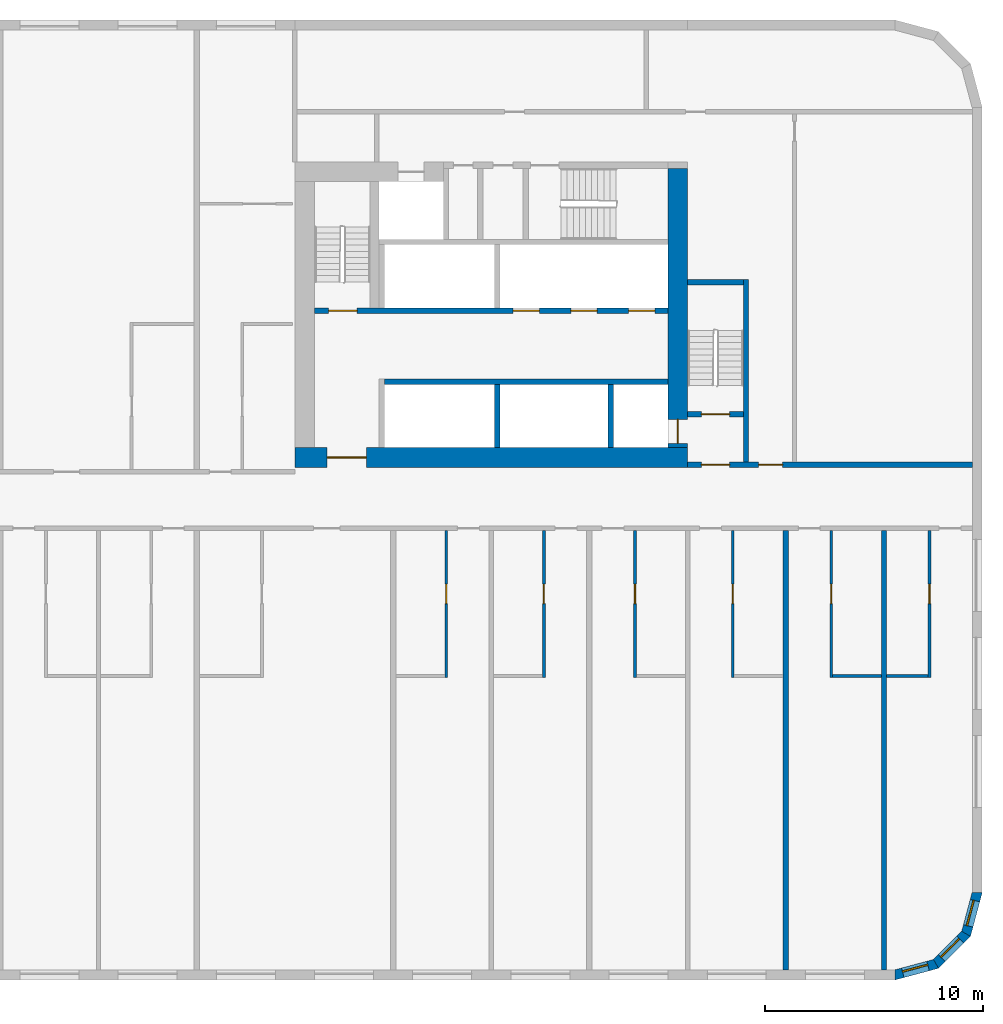
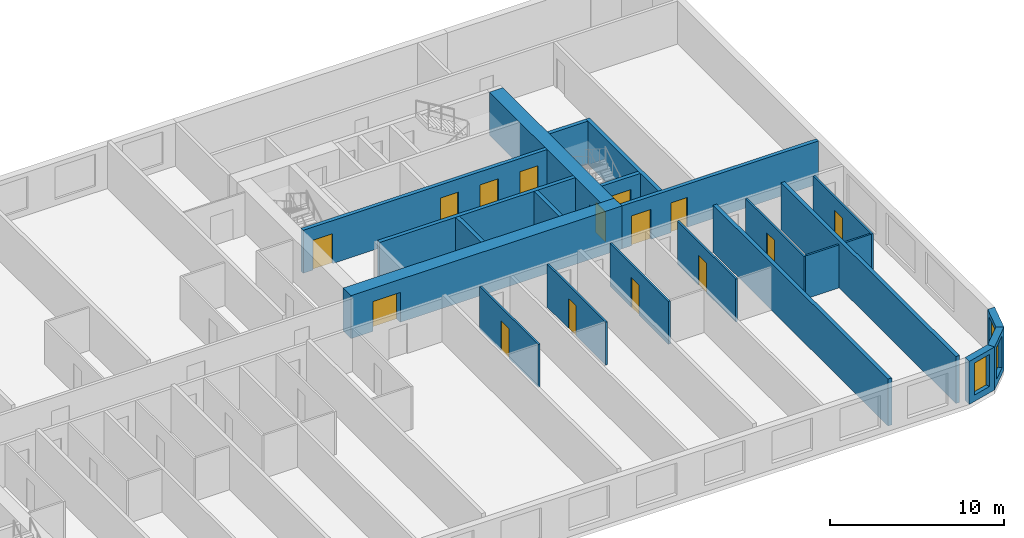
# One storey, part 7 of 12: 23 walls, 15 doors, 3 windows, 18 openings.
"""IFC4 building model written with IfcOpenShell, lengths in metres."""

import ifcopenshell
import ifcopenshell.guid

model = None  # the IFC model being written
_history = None  # IfcOwnerHistory: only IFC2X3 demands one
_inside = {}  # id of a spatial element -> (the spatial element, [elements in it])
_under = {}  # id of a project, library or spatial element -> (it, [spatial elements below it])
_declared = {}  # id of a project -> (the project, [libraries it declares])
_typed = {}  # id of a type object -> (the type object, [elements of that type])
_made_of = {}  # id of a material, layer set ... -> (it, [elements and type objects made of it])


def new_model(schema):
    """Start an empty IFC model of exactly this schema.

    Asked for "IFC4X3", IfcOpenShell would pick the latest addendum, in which some entities
    have other attributes; the version numbers below select the first issue.
    IFC2X3 requires an IfcOwnerHistory on every rooted entity: one is made here for all.
    """
    global model, _history
    if schema == "IFC4X3":
        model = ifcopenshell.file(schema_version=(4, 3, 0, 0))
    else:
        model = ifcopenshell.file(schema=schema)
    _inside.clear()
    _under.clear()
    _declared.clear()
    _typed.clear()
    _made_of.clear()
    _history = None
    if model.schema == "IFC2X3":
        org = make("IfcOrganization", Name="unknown")
        user = make(
            "IfcPersonAndOrganization",
            ThePerson=make("IfcPerson", FamilyName="unknown"),
            TheOrganization=org,
        )
        app = make(
            "IfcApplication",
            ApplicationDeveloper=org,
            Version="unknown",
            ApplicationFullName="unknown",
            ApplicationIdentifier="unknown",
        )
        _history = make(
            "IfcOwnerHistory",
            OwningUser=user,
            OwningApplication=app,
            ChangeAction="ADDED",
            CreationDate=0,
        )
    return model


def make(cls, **values):
    """One entity of the class cls with the attributes given. An attribute that is None is left unset."""
    return model.create_entity(
        cls, **{name: value for name, value in values.items() if value is not None}
    )


def rooted(cls, **values):
    """An entity with a GlobalId (a new one), such as an element, a storey or a relation."""
    return make(cls, GlobalId=ifcopenshell.guid.new(), OwnerHistory=_history, **values)


def si_unit(unit_type, name, prefix=None):
    """IfcSIUnit, for example si_unit("LENGTHUNIT", "METRE", prefix="MILLI")."""
    return make("IfcSIUnit", UnitType=unit_type, Prefix=prefix, Name=name)


def assignment(units):
    """IfcUnitAssignment: the units of a project."""
    return None if units is None else make("IfcUnitAssignment", Units=units)


def point(xyz):
    """IfcCartesianPoint."""
    return None if xyz is None else make("IfcCartesianPoint", Coordinates=xyz)


def direction(xyz):
    """IfcDirection."""
    return None if xyz is None else make("IfcDirection", DirectionRatios=xyz)


def frame(location, z_axis=None, x_axis=None):
    """IfcAxis2Placement3D, a coordinate frame: its origin and axes. An axis left out is left unset."""
    return make(
        "IfcAxis2Placement3D",
        Location=point(location),
        Axis=direction(z_axis),
        RefDirection=direction(x_axis),
    )


def frame_2d(location, x_axis=None):
    """IfcAxis2Placement2D, a coordinate frame in the plane: its origin and x axis."""
    return make(
        "IfcAxis2Placement2D", Location=point(location), RefDirection=direction(x_axis)
    )


def origin():
    """The frame at (0, 0, 0) with its axes left unset."""
    return frame((0.0, 0.0, 0.0))


def place(relative_to, where):
    """IfcLocalPlacement: puts the frame where relative to a parent placement (None: the world)."""
    return make(
        "IfcLocalPlacement", PlacementRelTo=relative_to, RelativePlacement=where
    )


def context(
    kind, dimensions, precision=None, world=None, true_north=None, identifier=None
):
    """IfcGeometricRepresentationContext, for example the 3D "Model" context."""
    return make(
        "IfcGeometricRepresentationContext",
        ContextIdentifier=identifier,
        ContextType=kind,
        CoordinateSpaceDimension=dimensions,
        Precision=precision,
        WorldCoordinateSystem=world,
        TrueNorth=true_north,
    )


def subcontext(parent, identifier, kind, view, scale=None):
    """IfcGeometricRepresentationSubContext, for example "Body" below "Model"."""
    return make(
        "IfcGeometricRepresentationSubContext",
        ContextIdentifier=identifier,
        ContextType=kind,
        ParentContext=parent,
        TargetScale=scale,
        TargetView=view,
    )


def project(units=None, contexts=None):
    """IfcProject with its units and contexts."""
    return rooted(
        "IfcProject",
        Name="project",
        RepresentationContexts=contexts,
        UnitsInContext=assignment(units),
    )


def spatial(cls, under=None, at=None, **own):
    """A site, building, storey or space (cls), placed at a placement, below another one or the project."""
    s = rooted(cls, ObjectPlacement=at, **own)
    if under is not None:
        _under.setdefault(under.id(), (under, []))[1].append(s)
    return s


def polyline(points):
    """IfcPolyline through the points."""
    return make("IfcPolyline", Points=[point(p) for p in points])


def profile(cls, at=None, kind="AREA", **sizes):
    """A parametric profile (cls). Its sizes go by their IFC names, for example OverallWidth=200.0."""
    return make(cls, ProfileType=kind, Position=at, **sizes)


def rectangle(**sizes):
    """IfcRectangleProfileDef."""
    return profile("IfcRectangleProfileDef", **sizes)


def outline(outer, holes=None, kind="AREA"):
    """IfcArbitraryClosedProfileDef: a profile drawn as a closed curve; with holes, ...WithVoids."""
    if holes is None:
        return make("IfcArbitraryClosedProfileDef", ProfileType=kind, OuterCurve=outer)
    return make(
        "IfcArbitraryProfileDefWithVoids",
        ProfileType=kind,
        OuterCurve=outer,
        InnerCurves=holes,
    )


def extrude(swept, where, along, depth):
    """IfcExtrudedAreaSolid: the profile swept, set in the frame where, extruded along a direction by depth."""
    return make(
        "IfcExtrudedAreaSolid",
        SweptArea=swept,
        Position=where,
        ExtrudedDirection=direction(along),
        Depth=depth,
    )


def shape(context_of_items, identifier, shape_type, items):
    """IfcShapeRepresentation: the items that make up one representation, for example the "Body"."""
    return make(
        "IfcShapeRepresentation",
        ContextOfItems=context_of_items,
        RepresentationIdentifier=identifier,
        RepresentationType=shape_type,
        Items=items,
    )


def material(Name=None, Category=None):
    """IfcMaterial."""
    return make("IfcMaterial", Name=Name, Category=Category)


def layer(
    of_material, thickness, ventilated=None, Name=None, Category=None, Priority=None
):
    """IfcMaterialLayer: one layer of a wall or slab, of a material (None: an air gap)."""
    return make(
        "IfcMaterialLayer",
        Material=of_material,
        LayerThickness=thickness,
        IsVentilated=ventilated,
        Name=Name,
        Category=Category,
        Priority=Priority,
    )


def layer_set(layers, Name=None):
    """IfcMaterialLayerSet."""
    return make("IfcMaterialLayerSet", MaterialLayers=layers, LayerSetName=Name)


def made_of(thing, what):
    """Note that an element or type object is made of a material, layer set ...; save() writes the relation."""
    if what is not None:
        _made_of.setdefault(what.id(), (what, []))[1].append(thing)
    return thing


def type_object(cls, material=None, **own):
    """A type object (cls), such as IfcWallType, which elements share."""
    return made_of(rooted(cls, **own), material)


def element(
    cls,
    number,
    at=None,
    inside=None,
    cuts=None,
    type_object=None,
    material=None,
    context=None,
    identifier="Body",
    shape_type=None,
    held_by="IfcProductDefinitionShape",
    body=None,
    shapes=None,
    **own,
):
    """One element of the class cls, such as IfcWall. Its Tag is "e" and its number.

    at: its placement. inside: the storey or other place that contains it. cuts: it is an
    opening in that element (IfcRelVoidsElement). A single representation is given by context,
    identifier, shape_type and body (its items); several are given by shapes. held_by: the class
    of the entity that holds the representations. save() writes the other relations.
    """
    e = rooted(cls, Tag="e%d" % number, ObjectPlacement=at, **own)
    if body is not None:
        shapes = [shape(context, identifier, shape_type, body)]
    if shapes is not None:
        e.Representation = make(held_by, Representations=shapes)
    if inside is not None:
        _inside.setdefault(inside.id(), (inside, []))[1].append(e)
    if cuts is not None:
        rooted(
            "IfcRelVoidsElement", RelatingBuildingElement=cuts, RelatedOpeningElement=e
        )
    if type_object is not None:
        _typed.setdefault(type_object.id(), (type_object, []))[1].append(e)
    return made_of(e, material)


def fill(opening, filler):
    """IfcRelFillsElement: the door or window that sits in an opening."""
    return rooted(
        "IfcRelFillsElement",
        RelatingOpeningElement=opening,
        RelatedBuildingElement=filler,
    )


def aggregate(whole, parts):
    """IfcRelAggregates: a whole, such as a stair, and the parts it consists of."""
    return rooted("IfcRelAggregates", RelatingObject=whole, RelatedObjects=parts)


def save(model, path):
    """Write the relations noted so far, then the file.

    IfcRelAggregates (storeys below a building ...), IfcRelContainedInSpatialStructure (elements
    in a storey), IfcRelDefinesByType, IfcRelAssociatesMaterial and IfcRelDeclares: one each for
    every whole, place, type object, material and project.
    """
    for whole, parts in _under.values():
        aggregate(whole, parts)
    for where, things in _inside.values():
        rooted(
            "IfcRelContainedInSpatialStructure",
            RelatedElements=things,
            RelatingStructure=where,
        )
    for kind, things in _typed.values():
        rooted("IfcRelDefinesByType", RelatedObjects=things, RelatingType=kind)
    for what, things in _made_of.values():
        rooted("IfcRelAssociatesMaterial", RelatedObjects=things, RelatingMaterial=what)
    for by, libraries in _declared.values():
        rooted("IfcRelDeclares", RelatingContext=by, RelatedDefinitions=libraries)
    model.write(path)


model = new_model("IFC4")

# Units and contexts
model_context = context("Model", 3, precision=1e-05, world=origin(), true_north=direction((0.0, 1.0)))
body_context = subcontext(model_context, "Body", "Model", "MODEL_VIEW")
ifc_project = project(units=[si_unit("LENGTHUNIT", "METRE"), si_unit("AREAUNIT", "SQUARE_METRE"), si_unit("VOLUMEUNIT", "CUBIC_METRE"), si_unit("PLANEANGLEUNIT", "RADIAN"), si_unit("MASSUNIT", "GRAM", prefix="KILO")], contexts=[model_context])

# Site, building, storey
site_placement = place(None, origin())
site = spatial("IfcSite", under=ifc_project, at=site_placement, CompositionType="ELEMENT")
building_placement = place(site_placement, origin())
building = spatial("IfcBuilding", under=site, at=building_placement, Name="Kajstack Hotel Tower", CompositionType="ELEMENT")
storey_placement = place(building_placement, frame((0.0, 0.0, 86.39990234375)))
storey = spatial("IfcBuildingStorey", under=building, at=storey_placement, Name="L17", CompositionType="ELEMENT", Elevation=86.39990234375)

# Wall, opening, door
ifc_material_1 = material(Name="Concrete C60/75", Category="concrete")
ifc_layer_1 = layer(ifc_material_1, 0.89990234375)
ifc_layer_set_1 = layer_set([ifc_layer_1], Name="Core wall 900")
wall_type_1 = type_object("IfcWallType", Name="Core wall 900", PredefinedType="SHEAR", material=ifc_layer_set_1)
wall_1_placement = place(storey_placement, frame((13.5, 1.949951171875, 0.0), z_axis=(0.0, 0.0, 1.0), x_axis=(1.0, 0.0, 0.0)))
wall_1 = element("IfcWall", 1, at=wall_1_placement, inside=storey, type_object=wall_type_1, Name="Core wall E RN", PredefinedType="SHEAR", context=body_context, shape_type="SweptSolid", body=[
    extrude(rectangle(XDim=18.0, YDim=0.89990234375, at=frame_2d((9.0, 0.0))), origin(), (0.0, 0.0, 1.0), 3.02001953125),
])
opening_1_placement = place(wall_1_placement, frame((1.47509765625, 0.0, 0.0)))
opening_1 = element("IfcOpeningElement", 2, at=opening_1_placement, cuts=wall_1, Name="Opening 17E06", PredefinedType="OPENING", context=body_context, shape_type="SweptSolid", body=[
    extrude(rectangle(XDim=1.800048828125, YDim=2.10009765625, at=frame_2d((0.89990234375, 1.050048828125))), frame((0.0, 0.4599609375, 0.0), z_axis=(0.0, -1.0, 0.0), x_axis=(1.0, 0.0, 0.0)), (0.0, 0.0, 1.0), 0.919921875),
])
ifc_material_2 = material(Name="Glazed steel frame, fire-rated glass", Category="steel")
door_type_1 = type_object("IfcDoorType", Name="Lobby double door 1800", OperationType="DOUBLE_DOOR_DOUBLE_SWING", PredefinedType="DOOR", material=ifc_material_2)
door_1_placement = place(opening_1_placement, origin())
door_1 = element("IfcDoor", 3, at=door_1_placement, inside=storey, type_object=door_type_1, Name="Door 17E06", OperationType="DOUBLE_DOOR_DOUBLE_SWING", OverallHeight=2.10009765625, OverallWidth=1.800048828125, PredefinedType="DOOR", context=body_context, shape_type="SweptSolid", body=[
    extrude(rectangle(XDim=1.800048828125, YDim=2.10009765625, at=frame_2d((0.89990234375, 1.050048828125))), frame((0.0, 0.02490234375, 0.0), z_axis=(0.0, -1.0, 0.0), x_axis=(1.0, 0.0, 0.0)), (0.0, 0.0, 1.0), 0.050048828125),
])
fill(opening_1, door_1)

wall_2_placement = place(storey_placement, frame((31.050048828125, 2.39990234375, 0.0), z_axis=(0.0, 0.0, 1.0), x_axis=(0.0, 1.0, 0.0)))
wall_2 = element("IfcWall", 4, at=wall_2_placement, inside=storey, type_object=wall_type_1, Name="Core wall E RW", PredefinedType="SHEAR", context=body_context, shape_type="SweptSolid", body=[
    extrude(rectangle(XDim=12.800048828125, YDim=0.89990234375, at=frame_2d((6.39990234375, 0.0))), origin(), (0.0, 0.0, 1.0), 3.02001953125),
])
opening_2_placement = place(wall_2_placement, frame((0.199951171875, 0.0, 0.0)))
opening_2 = element("IfcOpeningElement", 5, at=opening_2_placement, cuts=wall_2, Name="Opening LD-FF2", PredefinedType="OPENING", context=body_context, shape_type="SweptSolid", body=[
    extrude(rectangle(XDim=1.10009765625, YDim=2.10009765625, at=frame_2d((0.550048828125, 1.050048828125))), frame((0.0, 0.4599609375, 0.0), z_axis=(0.0, -1.0, 0.0), x_axis=(1.0, 0.0, 0.0)), (0.0, 0.0, 1.0), 0.919921875),
])
ifc_material_3 = material(Name="Stainless steel", Category="steel")
door_type_2 = type_object("IfcDoorType", Name="Fire-fighting lift landing door 1100", OperationType="SLIDING_TO_LEFT", PredefinedType="DOOR", material=ifc_material_3)
door_2_placement = place(opening_2_placement, origin())
door_2 = element("IfcDoor", 6, at=door_2_placement, inside=storey, type_object=door_type_2, Name="Landing door FF2", OperationType="SLIDING_TO_LEFT", OverallHeight=2.10009765625, OverallWidth=1.10009765625, PredefinedType="DOOR", context=body_context, shape_type="SweptSolid", body=[
    extrude(rectangle(XDim=1.10009765625, YDim=2.10009765625, at=frame_2d((0.550048828125, 1.050048828125))), frame((0.0, 0.02490234375, 0.0), z_axis=(0.0, -1.0, 0.0), x_axis=(1.0, 0.0, 0.0)), (0.0, 0.0, 1.0), 0.050048828125),
])
fill(opening_2, door_2)

# Wall, opening, window
ifc_material_4 = material(Name="Terracotta-faced brick masonry", Category="masonry")
ifc_layer_2 = layer(ifc_material_4, 0.449951171875)
ifc_layer_set_2 = layer_set([ifc_layer_2], Name="EW-TERRA")
wall_type_2 = type_object("IfcWallType", Name="EW-TERRA", PredefinedType="SOLIDWALL", material=ifc_layer_set_2)
wall_3_placement = place(storey_placement, frame((40.941650390625, -21.78271484375, 0.0), z_axis=(0.0, 0.0, 1.0), x_axis=(0.965926999034, 0.25881466832, 0.0)))
wall_3 = element("IfcWall", 7, at=wall_3_placement, inside=storey, type_object=wall_type_2, Name="E-wall-L17-04-00", PredefinedType="SOLIDWALL", context=body_context, shape_type="SweptSolid", body=[
    extrude(outline(polyline([(0.000244140625, -0.22509765625), (2.070556640625, -0.224853515625), (1.9501953125, 0.22509765625), (0.12060546875, 0.22509765625), (0.000244140625, -0.22509765625)])), origin(), (0.0, 0.0, 1.0), 3.02001953125),
])
opening_3_placement = place(wall_3_placement, frame((0.435302734375, 0.0, 0.449951171875)))
opening_3 = element("IfcOpeningElement", 8, at=opening_3_placement, cuts=wall_3, Name="Opening W3", PredefinedType="OPENING", context=body_context, shape_type="SweptSolid", body=[
    extrude(rectangle(XDim=1.199951171875, YDim=2.25, at=frame_2d((0.60009765625, 1.125))), frame((0.0, 0.23486328125, 0.0), z_axis=(0.0, -1.0, 0.0), x_axis=(1.0, 0.0, 0.0)), (0.0, 0.0, 1.0), 0.469970703125),
])
ifc_material_5 = material(Name="Timber-aluminium window, triple glazed", Category="wood")
window_type = type_object("IfcWindowType", Name="WG3", PartitioningType="SINGLE_PANEL", PredefinedType="WINDOW", material=ifc_material_5)
window_1_placement = place(opening_3_placement, origin())
window_1 = element("IfcWindow", 9, at=window_1_placement, inside=storey, type_object=window_type, Name="Window W3 L17-04", OverallHeight=2.25, OverallWidth=1.199951171875, PartitioningType="SINGLE_PANEL", PredefinedType="WINDOW", context=body_context, shape_type="SweptSolid", body=[
    extrude(rectangle(XDim=1.199951171875, YDim=2.25, at=frame_2d((0.60009765625, 1.125))), frame((0.0, 0.090087890625, 0.0), z_axis=(0.0, -1.0, 0.0), x_axis=(1.0, 0.0, 0.0)), (0.0, 0.0, 1.0), 0.06005859375),
])
fill(opening_3, window_1)

wall_4_placement = place(storey_placement, frame((42.8408203125, -21.304931640625, 0.0), z_axis=(0.0, 0.0, 1.0), x_axis=(0.707106781187, 0.707106781187, 0.0)))
wall_4 = element("IfcWall", 10, at=wall_4_placement, inside=storey, type_object=wall_type_2, Name="E-wall-L17-05-00", PredefinedType="SOLIDWALL", context=body_context, shape_type="SweptSolid", body=[
    extrude(outline(polyline([(0.0, -0.22509765625), (2.070556640625, -0.22509765625), (1.949951171875, 0.224853515625), (0.12060546875, 0.224853515625), (0.0, -0.22509765625)])), origin(), (0.0, 0.0, 1.0), 3.02001953125),
])
opening_4_placement = place(wall_4_placement, frame((0.435302734375, 0.0, 0.449951171875)))
opening_4 = element("IfcOpeningElement", 11, at=opening_4_placement, cuts=wall_4, Name="Opening W3", PredefinedType="OPENING", context=body_context, shape_type="SweptSolid", body=[
    extrude(rectangle(XDim=1.199951171875, YDim=2.25, at=frame_2d((0.60009765625, 1.125))), frame((0.0, 0.23486328125, 0.0), z_axis=(0.0, -1.0, 0.0), x_axis=(1.0, 0.0, 0.0)), (0.0, 0.0, 1.0), 0.469970703125),
])
window_2_placement = place(opening_4_placement, origin())
window_2 = element("IfcWindow", 12, at=window_2_placement, inside=storey, type_object=window_type, Name="Window W3 L17-05", OverallHeight=2.25, OverallWidth=1.199951171875, PartitioningType="SINGLE_PANEL", PredefinedType="WINDOW", context=body_context, shape_type="SweptSolid", body=[
    extrude(rectangle(XDim=1.199951171875, YDim=2.25, at=frame_2d((0.60009765625, 1.125))), frame((0.0, 0.090087890625, 0.0), z_axis=(0.0, -1.0, 0.0), x_axis=(1.0, 0.0, 0.0)), (0.0, 0.0, 1.0), 0.06005859375),
])
fill(opening_4, window_2)

wall_5_placement = place(storey_placement, frame((44.246826171875, -19.941650390625, 0.0), z_axis=(0.0, 0.0, 1.0), x_axis=(0.25881466832, 0.965926999034, 0.0)))
wall_5 = element("IfcWall", 13, at=wall_5_placement, inside=storey, type_object=wall_type_2, Name="E-wall-L17-06-00", PredefinedType="SOLIDWALL", context=body_context, shape_type="SweptSolid", body=[
    extrude(outline(polyline([(-0.000244140625, -0.224853515625), (2.0703125, -0.22509765625), (1.949951171875, 0.22509765625), (0.120361328125, 0.22509765625), (-0.000244140625, -0.224853515625)])), origin(), (0.0, 0.0, 1.0), 3.02001953125),
])
opening_5_placement = place(wall_5_placement, frame((0.435302734375, 0.0, 0.449951171875)))
opening_5 = element("IfcOpeningElement", 14, at=opening_5_placement, cuts=wall_5, Name="Opening W3", PredefinedType="OPENING", context=body_context, shape_type="SweptSolid", body=[
    extrude(rectangle(XDim=1.199951171875, YDim=2.25, at=frame_2d((0.60009765625, 1.125))), frame((0.0, 0.23486328125, 0.0), z_axis=(0.0, -1.0, 0.0), x_axis=(1.0, 0.0, 0.0)), (0.0, 0.0, 1.0), 0.469970703125),
])
window_3_placement = place(opening_5_placement, origin())
window_3 = element("IfcWindow", 15, at=window_3_placement, inside=storey, type_object=window_type, Name="Window W3 L17-06", OverallHeight=2.25, OverallWidth=1.199951171875, PartitioningType="SINGLE_PANEL", PredefinedType="WINDOW", context=body_context, shape_type="SweptSolid", body=[
    extrude(rectangle(XDim=1.199951171875, YDim=2.25, at=frame_2d((0.60009765625, 1.125))), frame((0.0, 0.090087890625, 0.0), z_axis=(0.0, -1.0, 0.0), x_axis=(1.0, 0.0, 0.0)), (0.0, 0.0, 1.0), 0.06005859375),
])
fill(opening_5, window_3)

# Wall, opening, door
ifc_material_6 = material(Name="Gypsum board and tiled backer on steel studs", Category="steel")
ifc_layer_3 = layer(ifc_material_6, 0.125)
ifc_layer_set_3 = layer_set([ifc_layer_3], Name="En-suite wall 125")
wall_type_3 = type_object("IfcWallType", Name="En-suite wall 125", PredefinedType="PARTITIONING", material=ifc_layer_set_3)
wall_6_placement = place(storey_placement, frame((20.43798828125, -8.125, 0.0), z_axis=(0.0, 0.0, 1.0), x_axis=(0.0, 1.0, 0.0)))
wall_6 = element("IfcWall", 16, at=wall_6_placement, inside=storey, type_object=wall_type_3, Name="G-wall-L17-041", PredefinedType="PARTITIONING", context=body_context, shape_type="SweptSolid", body=[
    extrude(rectangle(XDim=6.72509765625, YDim=0.125, at=frame_2d((3.362548828125, 0.0))), origin(), (0.0, 0.0, 1.0), 3.02001953125),
])
opening_6_placement = place(wall_6_placement, frame((3.375, 0.0, 0.0)))
opening_6 = element("IfcOpeningElement", 17, at=opening_6_placement, cuts=wall_6, Name="Opening 17034", PredefinedType="OPENING", context=body_context, shape_type="SweptSolid", body=[
    extrude(rectangle(XDim=0.89990234375, YDim=2.10009765625, at=frame_2d((0.449951171875, 1.050048828125))), frame((0.0, 0.072509765625, 0.0), z_axis=(0.0, -1.0, 0.0), x_axis=(1.0, 0.0, 0.0)), (0.0, 0.0, 1.0), 0.14501953125),
])
ifc_material_7 = material(Name="Painted timber door leaf", Category="wood")
door_type_3 = type_object("IfcDoorType", Name="Room door 900", OperationType="SINGLE_SWING_LEFT", PredefinedType="DOOR", material=ifc_material_7)
door_3_placement = place(opening_6_placement, origin())
door_3 = element("IfcDoor", 18, at=door_3_placement, inside=storey, type_object=door_type_3, Name="G-door-L17-34", OperationType="SINGLE_SWING_RIGHT", OverallHeight=2.10009765625, OverallWidth=0.89990234375, PredefinedType="DOOR", context=body_context, shape_type="SweptSolid", body=[
    extrude(rectangle(XDim=0.89990234375, YDim=2.10009765625, at=frame_2d((0.449951171875, 1.050048828125))), frame((0.0, 0.02490234375, 0.0), z_axis=(0.0, -1.0, 0.0), x_axis=(1.0, 0.0, 0.0)), (0.0, 0.0, 1.0), 0.050048828125),
])
fill(opening_6, door_3)

wall_7_placement = place(storey_placement, frame((24.9130859375, -8.125, 0.0), z_axis=(0.0, 0.0, 1.0), x_axis=(0.0, 1.0, 0.0)))
wall_7 = element("IfcWall", 19, at=wall_7_placement, inside=storey, type_object=wall_type_3, Name="G-wall-L17-043", PredefinedType="PARTITIONING", context=body_context, shape_type="SweptSolid", body=[
    extrude(rectangle(XDim=6.72509765625, YDim=0.125, at=frame_2d((3.362548828125, 0.0))), origin(), (0.0, 0.0, 1.0), 3.02001953125),
])
opening_7_placement = place(wall_7_placement, frame((3.375, 0.0, 0.0)))
opening_7 = element("IfcOpeningElement", 20, at=opening_7_placement, cuts=wall_7, Name="Opening 17036", PredefinedType="OPENING", context=body_context, shape_type="SweptSolid", body=[
    extrude(rectangle(XDim=0.89990234375, YDim=2.10009765625, at=frame_2d((0.449951171875, 1.050048828125))), frame((0.0, 0.072509765625, 0.0), z_axis=(0.0, -1.0, 0.0), x_axis=(1.0, 0.0, 0.0)), (0.0, 0.0, 1.0), 0.14501953125),
])
door_4_placement = place(opening_7_placement, origin())
door_4 = element("IfcDoor", 21, at=door_4_placement, inside=storey, type_object=door_type_3, Name="G-door-L17-36", OperationType="SINGLE_SWING_LEFT", OverallHeight=2.10009765625, OverallWidth=0.89990234375, PredefinedType="DOOR", context=body_context, shape_type="SweptSolid", body=[
    extrude(rectangle(XDim=0.89990234375, YDim=2.10009765625, at=frame_2d((0.449951171875, 1.050048828125))), frame((0.0, 0.02490234375, 0.0), z_axis=(0.0, -1.0, 0.0), x_axis=(1.0, 0.0, 0.0)), (0.0, 0.0, 1.0), 0.050048828125),
])
fill(opening_7, door_4)

wall_8_placement = place(storey_placement, frame((29.0869140625, -8.125, 0.0), z_axis=(0.0, 0.0, 1.0), x_axis=(0.0, 1.0, 0.0)))
wall_8 = element("IfcWall", 22, at=wall_8_placement, inside=storey, type_object=wall_type_3, Name="G-wall-L17-046", PredefinedType="PARTITIONING", context=body_context, shape_type="SweptSolid", body=[
    extrude(rectangle(XDim=6.72509765625, YDim=0.125, at=frame_2d((3.362548828125, 0.0))), origin(), (0.0, 0.0, 1.0), 3.02001953125),
])
opening_8_placement = place(wall_8_placement, frame((3.375, 0.0, 0.0)))
opening_8 = element("IfcOpeningElement", 23, at=opening_8_placement, cuts=wall_8, Name="Opening 17038", PredefinedType="OPENING", context=body_context, shape_type="SweptSolid", body=[
    extrude(rectangle(XDim=0.89990234375, YDim=2.10009765625, at=frame_2d((0.449951171875, 1.050048828125))), frame((0.0, 0.072509765625, 0.0), z_axis=(0.0, -1.0, 0.0), x_axis=(1.0, 0.0, 0.0)), (0.0, 0.0, 1.0), 0.14501953125),
])
door_5_placement = place(opening_8_placement, origin())
door_5 = element("IfcDoor", 24, at=door_5_placement, inside=storey, type_object=door_type_3, Name="G-door-L17-38", OperationType="SINGLE_SWING_LEFT", OverallHeight=2.10009765625, OverallWidth=0.89990234375, PredefinedType="DOOR", context=body_context, shape_type="SweptSolid", body=[
    extrude(rectangle(XDim=0.89990234375, YDim=2.10009765625, at=frame_2d((0.449951171875, 1.050048828125))), frame((0.0, 0.02490234375, 0.0), z_axis=(0.0, -1.0, 0.0), x_axis=(1.0, 0.0, 0.0)), (0.0, 0.0, 1.0), 0.050048828125),
])
fill(opening_8, door_5)

wall_9_placement = place(storey_placement, frame((33.56201171875, -8.125, 0.0), z_axis=(0.0, 0.0, 1.0), x_axis=(0.0, 1.0, 0.0)))
wall_9 = element("IfcWall", 25, at=wall_9_placement, inside=storey, type_object=wall_type_3, Name="G-wall-L17-048", PredefinedType="PARTITIONING", context=body_context, shape_type="SweptSolid", body=[
    extrude(rectangle(XDim=6.72509765625, YDim=0.125, at=frame_2d((3.362548828125, 0.0))), origin(), (0.0, 0.0, 1.0), 3.02001953125),
])
opening_9_placement = place(wall_9_placement, frame((3.375, 0.0, 0.0)))
opening_9 = element("IfcOpeningElement", 26, at=opening_9_placement, cuts=wall_9, Name="Opening 17040", PredefinedType="OPENING", context=body_context, shape_type="SweptSolid", body=[
    extrude(rectangle(XDim=0.89990234375, YDim=2.10009765625, at=frame_2d((0.449951171875, 1.050048828125))), frame((0.0, 0.072509765625, 0.0), z_axis=(0.0, -1.0, 0.0), x_axis=(1.0, 0.0, 0.0)), (0.0, 0.0, 1.0), 0.14501953125),
])
door_6_placement = place(opening_9_placement, origin())
door_6 = element("IfcDoor", 27, at=door_6_placement, inside=storey, type_object=door_type_3, Name="G-door-L17-40", OperationType="SINGLE_SWING_RIGHT", OverallHeight=2.10009765625, OverallWidth=0.89990234375, PredefinedType="DOOR", context=body_context, shape_type="SweptSolid", body=[
    extrude(rectangle(XDim=0.89990234375, YDim=2.10009765625, at=frame_2d((0.449951171875, 1.050048828125))), frame((0.0, 0.02490234375, 0.0), z_axis=(0.0, -1.0, 0.0), x_axis=(1.0, 0.0, 0.0)), (0.0, 0.0, 1.0), 0.050048828125),
])
fill(opening_9, door_6)

wall_10_placement = place(storey_placement, frame((38.0869140625, -8.125, 0.0), z_axis=(0.0, 0.0, 1.0), x_axis=(0.0, 1.0, 0.0)))
wall_10 = element("IfcWall", 28, at=wall_10_placement, inside=storey, type_object=wall_type_3, Name="G-wall-L17-050", PredefinedType="PARTITIONING", context=body_context, shape_type="SweptSolid", body=[
    extrude(rectangle(XDim=6.72509765625, YDim=0.125, at=frame_2d((3.362548828125, 0.0))), origin(), (0.0, 0.0, 1.0), 3.02001953125),
])
opening_10_placement = place(wall_10_placement, frame((3.375, 0.0, 0.0)))
opening_10 = element("IfcOpeningElement", 29, at=opening_10_placement, cuts=wall_10, Name="Opening 17042", PredefinedType="OPENING", context=body_context, shape_type="SweptSolid", body=[
    extrude(rectangle(XDim=0.89990234375, YDim=2.10009765625, at=frame_2d((0.449951171875, 1.050048828125))), frame((0.0, 0.072509765625, 0.0), z_axis=(0.0, -1.0, 0.0), x_axis=(1.0, 0.0, 0.0)), (0.0, 0.0, 1.0), 0.14501953125),
])
door_7_placement = place(opening_10_placement, origin())
door_7 = element("IfcDoor", 30, at=door_7_placement, inside=storey, type_object=door_type_3, Name="G-door-L17-42", OperationType="SINGLE_SWING_RIGHT", OverallHeight=2.10009765625, OverallWidth=0.89990234375, PredefinedType="DOOR", context=body_context, shape_type="SweptSolid", body=[
    extrude(rectangle(XDim=0.89990234375, YDim=2.10009765625, at=frame_2d((0.449951171875, 1.050048828125))), frame((0.0, 0.02490234375, 0.0), z_axis=(0.0, -1.0, 0.0), x_axis=(1.0, 0.0, 0.0)), (0.0, 0.0, 1.0), 0.050048828125),
])
fill(opening_10, door_7)

# Wall
wall_11_placement = place(storey_placement, frame((38.14990234375, -8.06201171875, 0.0), z_axis=(0.0, 0.0, 1.0), x_axis=(1.0, 0.0, 0.0)))
element("IfcWall", 31, at=wall_11_placement, inside=storey, type_object=wall_type_3, Name="G-wall-L17-051", PredefinedType="PARTITIONING", context=body_context, shape_type="SweptSolid", body=[
    extrude(rectangle(XDim=2.22509765625, YDim=0.125, at=frame_2d((1.112548828125, 0.0))), origin(), (0.0, 0.0, 1.0), 3.02001953125),
])

# Wall, opening, door
wall_12_placement = place(storey_placement, frame((42.5869140625, -8.125, 0.0), z_axis=(0.0, 0.0, 1.0), x_axis=(0.0, 1.0, 0.0)))
wall_12 = element("IfcWall", 32, at=wall_12_placement, inside=storey, type_object=wall_type_3, Name="G-wall-L17-052", PredefinedType="PARTITIONING", context=body_context, shape_type="SweptSolid", body=[
    extrude(rectangle(XDim=6.72509765625, YDim=0.125, at=frame_2d((3.362548828125, 0.0))), origin(), (0.0, 0.0, 1.0), 3.02001953125),
])
opening_11_placement = place(wall_12_placement, frame((3.375, 0.0, 0.0)))
opening_11 = element("IfcOpeningElement", 33, at=opening_11_placement, cuts=wall_12, Name="Opening 17044", PredefinedType="OPENING", context=body_context, shape_type="SweptSolid", body=[
    extrude(rectangle(XDim=0.89990234375, YDim=2.10009765625, at=frame_2d((0.449951171875, 1.050048828125))), frame((0.0, 0.072509765625, 0.0), z_axis=(0.0, -1.0, 0.0), x_axis=(1.0, 0.0, 0.0)), (0.0, 0.0, 1.0), 0.14501953125),
])
door_8_placement = place(opening_11_placement, origin())
door_8 = element("IfcDoor", 34, at=door_8_placement, inside=storey, type_object=door_type_3, Name="G-door-L17-44", OperationType="SINGLE_SWING_RIGHT", OverallHeight=2.10009765625, OverallWidth=0.89990234375, PredefinedType="DOOR", context=body_context, shape_type="SweptSolid", body=[
    extrude(rectangle(XDim=0.89990234375, YDim=2.10009765625, at=frame_2d((0.449951171875, 1.050048828125))), frame((0.0, 0.02490234375, 0.0), z_axis=(0.0, -1.0, 0.0), x_axis=(1.0, 0.0, 0.0)), (0.0, 0.0, 1.0), 0.050048828125),
])
fill(opening_11, door_8)

# Walls
wall_13_placement = place(storey_placement, frame((40.625, -8.06201171875, 0.0), z_axis=(0.0, 0.0, 1.0), x_axis=(1.0, 0.0, 0.0)))
element("IfcWall", 35, at=wall_13_placement, inside=storey, type_object=wall_type_3, Name="G-wall-L17-053", PredefinedType="PARTITIONING", context=body_context, shape_type="SweptSolid", body=[
    extrude(rectangle(XDim=1.89990234375, YDim=0.125, at=frame_2d((0.949951171875, 0.0))), origin(), (0.0, 0.0, 1.0), 3.02001953125),
])
ifc_material_8 = material(Name="Concrete C50/60", Category="concrete")
ifc_layer_4 = layer(ifc_material_8, 0.300048828125)
ifc_layer_set_4 = layer_set([ifc_layer_4], Name="Hoistway divider wall 300")
wall_type_4 = type_object("IfcWallType", Name="Hoistway divider wall 300", PredefinedType="SHEAR", material=ifc_layer_set_4)
wall_14_placement = place(storey_placement, frame((22.77490234375, 2.39990234375, 0.0), z_axis=(0.0, 0.0, 1.0), x_axis=(0.0, 1.0, 0.0)))
element("IfcWall", 36, at=wall_14_placement, inside=storey, type_object=wall_type_4, Name="Core wall E AP2", PredefinedType="SHEAR", context=body_context, shape_type="SweptSolid", body=[
    extrude(rectangle(XDim=2.900146484375, YDim=0.25, at=frame_2d((1.4501953125, 0.0))), origin(), (0.0, 0.0, 1.0), 3.02001953125),
])
ifc_layer_5 = layer(ifc_material_1, 0.25)
ifc_layer_set_5 = layer_set([ifc_layer_5], Name="RC cross wall 250 C60/75")
wall_type_5 = type_object("IfcWallType", Name="RC cross wall 250 C60/75", PredefinedType="SHEAR", material=ifc_layer_set_5)
for number, where, z_axis, x_axis, name in (
    (37, (36.0, -21.5400390625, 0.0), (0.0, 0.0, 1.0), (0.0, 1.0, 0.0), "S-wall-L17-13"),
    (38, (40.5, -21.5400390625, 0.0), (0.0, 0.0, 1.0), (0.0, 1.0, 0.0), "S-wall-L17-14"),
):
    element("IfcWall", number, at=place(storey_placement, frame(where, z_axis=z_axis, x_axis=x_axis)), inside=storey, type_object=wall_type_5, Name=name, PredefinedType="SHEAR", context=body_context, shape_type="SweptSolid", body=[
        extrude(rectangle(XDim=20.14013671875, YDim=0.25, at=frame_2d((10.070068359375, 0.0))), origin(), (0.0, 0.0, 1.0), 3.300048828125),
    ])

# Wall, openings, doors
ifc_material_9 = material(Name="Gypsum board on steel studs, mineral wool", Category="steel")
ifc_layer_6 = layer(ifc_material_9, 0.199951171875)
ifc_layer_set_6 = layer_set([ifc_layer_6], Name="Service partition 200")
wall_type_6 = type_object("IfcWallType", Name="Service partition 200", PredefinedType="PARTITIONING", material=ifc_layer_set_6)
wall_15_placement = place(storey_placement, frame((31.5, 1.625, 0.0), z_axis=(0.0, 0.0, 1.0), x_axis=(1.0, 0.0, 0.0)))
wall_15 = element("IfcWall", 39, at=wall_15_placement, inside=storey, type_object=wall_type_6, Name="Partition E SN", PredefinedType="PARTITIONING", context=body_context, shape_type="SweptSolid", body=[
    extrude(rectangle(XDim=13.050048828125, YDim=0.25, at=frame_2d((6.52490234375, 0.0))), origin(), (0.0, 0.0, 1.0), 3.02001953125),
])
opening_12_placement = place(wall_15_placement, frame((0.625, 0.0, 0.0)))
opening_12 = element("IfcOpeningElement", 40, at=opening_12_placement, cuts=wall_15, Name="Opening 17E07", PredefinedType="OPENING", context=body_context, shape_type="SweptSolid", body=[
    extrude(rectangle(XDim=1.300048828125, YDim=2.10009765625, at=frame_2d((0.64990234375, 1.050048828125))), frame((0.0, 0.135009765625, 0.0), z_axis=(0.0, -1.0, 0.0), x_axis=(1.0, 0.0, 0.0)), (0.0, 0.0, 1.0), 0.27001953125),
])
opening_13_placement = place(wall_15_placement, frame((3.25, 0.0, 0.0)))
opening_13 = element("IfcOpeningElement", 41, at=opening_13_placement, cuts=wall_15, Name="Opening 17E09", PredefinedType="OPENING", context=body_context, shape_type="SweptSolid", body=[
    extrude(rectangle(XDim=1.10009765625, YDim=2.10009765625, at=frame_2d((0.550048828125, 1.050048828125))), frame((0.0, 0.135009765625, 0.0), z_axis=(0.0, -1.0, 0.0), x_axis=(1.0, 0.0, 0.0)), (0.0, 0.0, 1.0), 0.27001953125),
])
ifc_material_10 = material(Name="Steel leaf, fire-rated", Category="steel")
door_type_4 = type_object("IfcDoorType", Name="Fire lobby door 1300", OperationType="SINGLE_SWING_LEFT", PredefinedType="DOOR", material=ifc_material_10)
door_9_placement = place(opening_12_placement, origin())
door_9 = element("IfcDoor", 42, at=door_9_placement, inside=storey, type_object=door_type_4, Name="Door 17E07", OperationType="SINGLE_SWING_LEFT", OverallHeight=2.10009765625, OverallWidth=1.300048828125, PredefinedType="DOOR", context=body_context, shape_type="SweptSolid", body=[
    extrude(rectangle(XDim=1.300048828125, YDim=2.10009765625, at=frame_2d((0.64990234375, 1.050048828125))), frame((0.0, 0.02490234375, 0.0), z_axis=(0.0, -1.0, 0.0), x_axis=(1.0, 0.0, 0.0)), (0.0, 0.0, 1.0), 0.050048828125),
])
fill(opening_12, door_9)
ifc_material_11 = material(Name="Timber leaf, fire-rated", Category="wood")
door_type_5 = type_object("IfcDoorType", Name="Service corridor door 1100", OperationType="SINGLE_SWING_LEFT", PredefinedType="DOOR", material=ifc_material_11)
door_10_placement = place(opening_13_placement, origin())
door_10 = element("IfcDoor", 43, at=door_10_placement, inside=storey, type_object=door_type_5, Name="Door 17E09", OperationType="SINGLE_SWING_LEFT", OverallHeight=2.10009765625, OverallWidth=1.10009765625, PredefinedType="DOOR", context=body_context, shape_type="SweptSolid", body=[
    extrude(rectangle(XDim=1.10009765625, YDim=2.10009765625, at=frame_2d((0.550048828125, 1.050048828125))), frame((0.0, 0.02490234375, 0.0), z_axis=(0.0, -1.0, 0.0), x_axis=(1.0, 0.0, 0.0)), (0.0, 0.0, 1.0), 0.050048828125),
])
fill(opening_13, door_10)

# Walls
ifc_layer_7 = layer(ifc_material_8, 0.25)
ifc_layer_set_7 = layer_set([ifc_layer_7], Name="Shaft wall 250")
wall_type_7 = type_object("IfcWallType", Name="Shaft wall 250", PredefinedType="SHEAR", material=ifc_layer_set_7)
wall_16_placement = place(storey_placement, frame((17.60009765625, 5.425048828125, 0.0), z_axis=(0.0, 0.0, 1.0), x_axis=(1.0, 0.0, 0.0)))
element("IfcWall", 44, at=wall_16_placement, inside=storey, type_object=wall_type_7, Name="Core wall E FA", PredefinedType="SHEAR", context=body_context, shape_type="SweptSolid", body=[
    extrude(rectangle(XDim=13.0, YDim=0.25, at=frame_2d((6.5, 0.0))), origin(), (0.0, 0.0, 1.0), 3.02001953125),
])
wall_17_placement = place(storey_placement, frame((27.97509765625, 2.39990234375, 0.0), z_axis=(0.0, 0.0, 1.0), x_axis=(0.0, 1.0, 0.0)))
element("IfcWall", 45, at=wall_17_placement, inside=storey, type_object=wall_type_7, Name="Core wall E AP0", PredefinedType="SHEAR", context=body_context, shape_type="SweptSolid", body=[
    extrude(rectangle(XDim=2.900146484375, YDim=0.25, at=frame_2d((1.4501953125, 0.0))), origin(), (0.0, 0.0, 1.0), 3.02001953125),
])

# Wall, openings, doors
wall_18_placement = place(storey_placement, frame((14.39990234375, 8.675048828125, 0.0), z_axis=(0.0, 0.0, 1.0), x_axis=(1.0, 0.0, 0.0)))
wall_18 = element("IfcWall", 46, at=wall_18_placement, inside=storey, type_object=wall_type_7, Name="Core wall E FB", PredefinedType="SHEAR", context=body_context, shape_type="SweptSolid", body=[
    extrude(rectangle(XDim=16.2001953125, YDim=0.25, at=frame_2d((8.10009765625, 0.0))), origin(), (0.0, 0.0, 1.0), 3.02001953125),
])
opening_14_placement = place(wall_18_placement, frame((14.39990234375, 0.0, 0.0)))
opening_14 = element("IfcOpeningElement", 47, at=opening_14_placement, cuts=wall_18, Name="Opening LD-LR4", PredefinedType="OPENING", context=body_context, shape_type="SweptSolid", body=[
    extrude(rectangle(XDim=1.199951171875, YDim=2.10009765625, at=frame_2d((0.60009765625, 1.050048828125))), frame((0.0, 0.135009765625, 0.0), z_axis=(0.0, -1.0, 0.0), x_axis=(1.0, 0.0, 0.0)), (0.0, 0.0, 1.0), 0.27001953125),
])
opening_15_placement = place(wall_18_placement, frame((11.75, 0.0, 0.0)))
opening_15 = element("IfcOpeningElement", 48, at=opening_15_placement, cuts=wall_18, Name="Opening LD-LR5", PredefinedType="OPENING", context=body_context, shape_type="SweptSolid", body=[
    extrude(rectangle(XDim=1.199951171875, YDim=2.10009765625, at=frame_2d((0.60009765625, 1.050048828125))), frame((0.0, 0.135009765625, 0.0), z_axis=(0.0, -1.0, 0.0), x_axis=(1.0, 0.0, 0.0)), (0.0, 0.0, 1.0), 0.27001953125),
])
opening_16_placement = place(wall_18_placement, frame((9.10009765625, 0.0, 0.0)))
opening_16 = element("IfcOpeningElement", 49, at=opening_16_placement, cuts=wall_18, Name="Opening LD-LR6", PredefinedType="OPENING", context=body_context, shape_type="SweptSolid", body=[
    extrude(rectangle(XDim=1.199951171875, YDim=2.10009765625, at=frame_2d((0.60009765625, 1.050048828125))), frame((0.0, 0.135009765625, 0.0), z_axis=(0.0, -1.0, 0.0), x_axis=(1.0, 0.0, 0.0)), (0.0, 0.0, 1.0), 0.27001953125),
])
opening_17_placement = place(wall_18_placement, frame((0.64990234375, 0.0, 0.0)))
opening_17 = element("IfcOpeningElement", 50, at=opening_17_placement, cuts=wall_18, Name="Opening 17E10", PredefinedType="OPENING", context=body_context, shape_type="SweptSolid", body=[
    extrude(rectangle(XDim=1.300048828125, YDim=2.10009765625, at=frame_2d((0.64990234375, 1.050048828125))), frame((0.0, 0.135009765625, 0.0), z_axis=(0.0, -1.0, 0.0), x_axis=(1.0, 0.0, 0.0)), (0.0, 0.0, 1.0), 0.27001953125),
])
door_type_6 = type_object("IfcDoorType", Name="Lift landing door 1200", OperationType="SLIDING_TO_LEFT", PredefinedType="DOOR", material=ifc_material_3)
door_11_placement = place(opening_14_placement, origin())
door_11 = element("IfcDoor", 51, at=door_11_placement, inside=storey, type_object=door_type_6, Name="Landing door LR4", OperationType="SLIDING_TO_LEFT", OverallHeight=2.10009765625, OverallWidth=1.199951171875, PredefinedType="DOOR", context=body_context, shape_type="SweptSolid", body=[
    extrude(rectangle(XDim=1.199951171875, YDim=2.10009765625, at=frame_2d((0.60009765625, 1.050048828125))), frame((0.0, 0.02490234375, 0.0), z_axis=(0.0, -1.0, 0.0), x_axis=(1.0, 0.0, 0.0)), (0.0, 0.0, 1.0), 0.050048828125),
])
fill(opening_14, door_11)
door_12_placement = place(opening_15_placement, origin())
door_12 = element("IfcDoor", 52, at=door_12_placement, inside=storey, type_object=door_type_6, Name="Landing door LR5", OperationType="SLIDING_TO_RIGHT", OverallHeight=2.10009765625, OverallWidth=1.199951171875, PredefinedType="DOOR", context=body_context, shape_type="SweptSolid", body=[
    extrude(rectangle(XDim=1.199951171875, YDim=2.10009765625, at=frame_2d((0.60009765625, 1.050048828125))), frame((0.0, 0.02490234375, 0.0), z_axis=(0.0, -1.0, 0.0), x_axis=(1.0, 0.0, 0.0)), (0.0, 0.0, 1.0), 0.050048828125),
])
fill(opening_15, door_12)
door_13_placement = place(opening_16_placement, origin())
door_13 = element("IfcDoor", 53, at=door_13_placement, inside=storey, type_object=door_type_6, Name="Landing door LR6", OperationType="SLIDING_TO_RIGHT", OverallHeight=2.10009765625, OverallWidth=1.199951171875, PredefinedType="DOOR", context=body_context, shape_type="SweptSolid", body=[
    extrude(rectangle(XDim=1.199951171875, YDim=2.10009765625, at=frame_2d((0.60009765625, 1.050048828125))), frame((0.0, 0.02490234375, 0.0), z_axis=(0.0, -1.0, 0.0), x_axis=(1.0, 0.0, 0.0)), (0.0, 0.0, 1.0), 0.050048828125),
])
fill(opening_16, door_13)
door_type_7 = type_object("IfcDoorType", Name="Stair door 1300", OperationType="SINGLE_SWING_LEFT", PredefinedType="DOOR", material=ifc_material_10)
door_14_placement = place(opening_17_placement, origin())
door_14 = element("IfcDoor", 54, at=door_14_placement, inside=storey, type_object=door_type_7, Name="Door 17E10", OperationType="SINGLE_SWING_LEFT", OverallHeight=2.10009765625, OverallWidth=1.300048828125, PredefinedType="DOOR", context=body_context, shape_type="SweptSolid", body=[
    extrude(rectangle(XDim=1.300048828125, YDim=2.10009765625, at=frame_2d((0.64990234375, 1.050048828125))), frame((0.0, 0.02490234375, 0.0), z_axis=(0.0, -1.0, 0.0), x_axis=(1.0, 0.0, 0.0)), (0.0, 0.0, 1.0), 0.050048828125),
])
fill(opening_17, door_14)

# Wall, opening, door
ifc_material_12 = material(Name="Concrete C40/50", Category="concrete")
ifc_layer_8 = layer(ifc_material_12, 0.25)
ifc_layer_set_8 = layer_set([ifc_layer_8], Name="Stair enclosure wall 250")
wall_type_8 = type_object("IfcWallType", Name="Stair enclosure wall 250", PredefinedType="SHEAR", material=ifc_layer_set_8)
wall_19_placement = place(storey_placement, frame((31.5, 3.925048828125, 0.0), z_axis=(0.0, 0.0, 1.0), x_axis=(1.0, 0.0, 0.0)))
wall_19 = element("IfcWall", 55, at=wall_19_placement, inside=storey, type_object=wall_type_8, Name="Core wall E W1N", PredefinedType="SHEAR", context=body_context, shape_type="SweptSolid", body=[
    extrude(rectangle(XDim=2.550048828125, YDim=0.25, at=frame_2d((1.27490234375, 0.0))), origin(), (0.0, 0.0, 1.0), 3.02001953125),
])
opening_18_placement = place(wall_19_placement, frame((0.625, 0.0, 0.0)))
opening_18 = element("IfcOpeningElement", 56, at=opening_18_placement, cuts=wall_19, Name="Opening 17E08", PredefinedType="OPENING", context=body_context, shape_type="SweptSolid", body=[
    extrude(rectangle(XDim=1.300048828125, YDim=2.10009765625, at=frame_2d((0.64990234375, 1.050048828125))), frame((0.0, 0.135009765625, 0.0), z_axis=(0.0, -1.0, 0.0), x_axis=(1.0, 0.0, 0.0)), (0.0, 0.0, 1.0), 0.27001953125),
])
door_15_placement = place(opening_18_placement, origin())
door_15 = element("IfcDoor", 57, at=door_15_placement, inside=storey, type_object=door_type_7, Name="Door 17E08", OperationType="SINGLE_SWING_LEFT", OverallHeight=2.10009765625, OverallWidth=1.300048828125, PredefinedType="DOOR", context=body_context, shape_type="SweptSolid", body=[
    extrude(rectangle(XDim=1.300048828125, YDim=2.10009765625, at=frame_2d((0.64990234375, 1.050048828125))), frame((0.0, 0.02490234375, 0.0), z_axis=(0.0, -1.0, 0.0), x_axis=(1.0, 0.0, 0.0)), (0.0, 0.0, 1.0), 0.050048828125),
])
fill(opening_18, door_15)

# Walls
wall_20_placement = place(storey_placement, frame((34.175048828125, 1.75, 0.0), z_axis=(0.0, 0.0, 1.0), x_axis=(0.0, 1.0, 0.0)))
element("IfcWall", 58, at=wall_20_placement, inside=storey, type_object=wall_type_8, Name="Core wall E W1W", PredefinedType="SHEAR", context=body_context, shape_type="SweptSolid", body=[
    extrude(rectangle(XDim=8.35009765625, YDim=0.25, at=frame_2d((4.175048828125, 0.0))), origin(), (0.0, 0.0, 1.0), 3.02001953125),
])
wall_21_placement = place(storey_placement, frame((31.5, 9.97509765625, 0.0), z_axis=(0.0, 0.0, 1.0), x_axis=(1.0, 0.0, 0.0)))
element("IfcWall", 59, at=wall_21_placement, inside=storey, type_object=wall_type_8, Name="Core wall E W1S", PredefinedType="SHEAR", context=body_context, shape_type="SweptSolid", body=[
    extrude(rectangle(XDim=2.550048828125, YDim=0.25, at=frame_2d((1.27490234375, 0.0))), origin(), (0.0, 0.0, 1.0), 3.02001953125),
])

save(model, "model.ifc")
